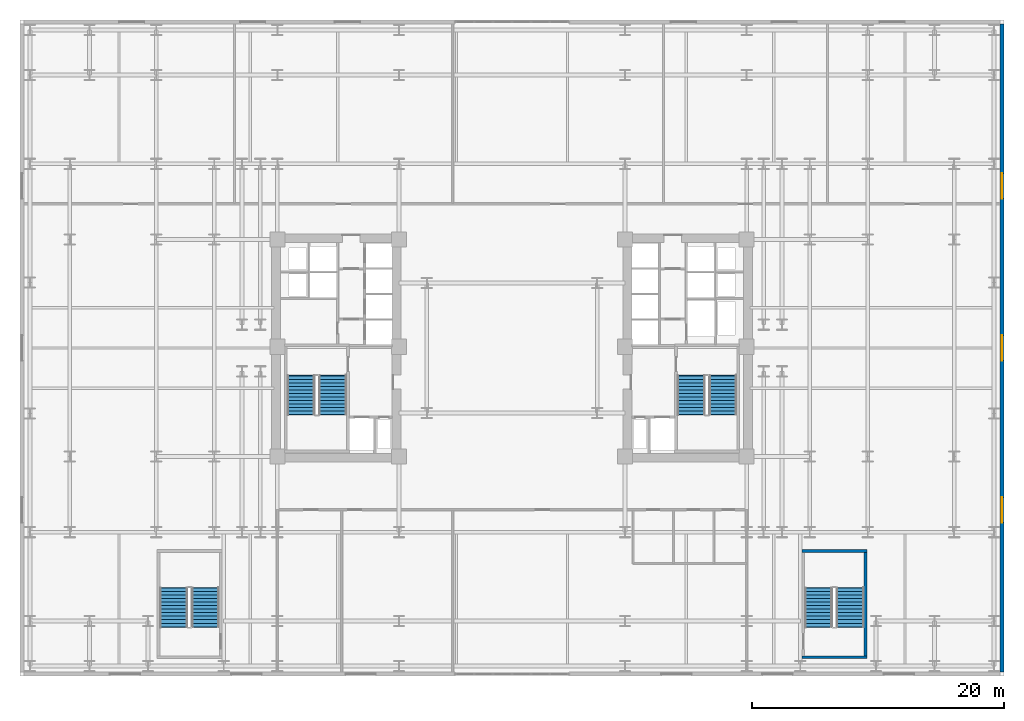
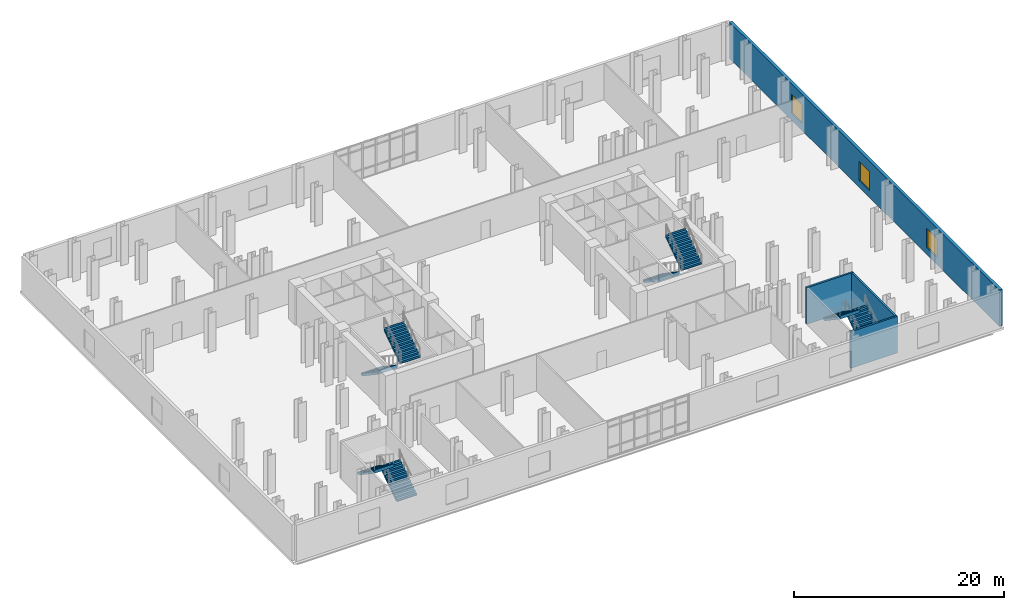
# One storey, part 11 of 13: 8 stair flights, 4 walls, 3 windows, 3 openings, 4 elements without a shape of their own.
"""IFC4 building model written with IfcOpenShell, lengths in metres."""

from ifc_helpers import new_model, si_unit, direction, frame, frame_2d, origin, place, context, subcontext, project, spatial, polyline, rectangle, outline, extrude, material, layer, layer_set, type_object, element, fill, aggregate, save


model = new_model("IFC4")

# Units and contexts
model_context = context("Model", 3, precision=1e-05, world=origin(), true_north=direction((0.0, 1.0)))
body_context = subcontext(model_context, "Body", "Model", "MODEL_VIEW")
ifc_project = project(units=[si_unit("LENGTHUNIT", "METRE"), si_unit("AREAUNIT", "SQUARE_METRE"), si_unit("VOLUMEUNIT", "CUBIC_METRE"), si_unit("PLANEANGLEUNIT", "RADIAN"), si_unit("MASSUNIT", "GRAM", prefix="KILO")], contexts=[model_context])

# Site, building, storey
site_placement = place(None, origin())
site = spatial("IfcSite", under=ifc_project, at=site_placement, CompositionType="ELEMENT")
building_placement = place(site_placement, origin())
building = spatial("IfcBuilding", under=site, at=building_placement, Name="Velakula Bourse", CompositionType="ELEMENT")
storey_placement = place(building_placement, frame((0.0, 0.0, 9.60009765625)))
storey = spatial("IfcBuildingStorey", under=building, at=storey_placement, Name="L02", CompositionType="ELEMENT", Elevation=9.60009765625)

# Walls
ifc_material_1 = material(Name="Concrete M50 (fck 50 MPa)", Category="concrete")
ifc_layer_1 = layer(ifc_material_1, 0.2099609375, Name="Concrete M50 (fck 50 MPa)", Category="concrete")
ifc_layer_set_1 = layer_set([ifc_layer_1], Name="Concrete M50 (fck 50 MPa)")
wall_type_1 = type_object("IfcWallType", Name="WL-CORE-210", PredefinedType="SHEAR", material=ifc_layer_set_1)
for number, where, z_axis, x_axis, name in (
    (1, (22.989990234375, -24.5048828125, 0.0), (0.0, 0.0, 1.0), (1.0, 0.0, 0.0), "L02 Podium Stair ST-P2 Shear Wall S"),
    (2, (22.989990234375, -16.094970703125, 0.0), (0.0, 0.0, 1.0), (1.0, 0.0, 0.0), "L02 Podium Stair ST-P2 Shear Wall N"),
):
    element("IfcWall", number, at=place(storey_placement, frame(where, z_axis=z_axis, x_axis=x_axis)), inside=storey, type_object=wall_type_1, Name=name, PredefinedType="SHEAR", context=body_context, shape_type="SweptSolid", body=[
        extrude(rectangle(XDim=5.139892578125, YDim=0.2099609375, at=frame_2d((2.56982421875, 0.0))), origin(), (0.0, 0.0, 1.0), 4.25),
    ])
wall_1_placement = place(storey_placement, frame((28.02490234375, -24.39990234375, 0.0), z_axis=(0.0, 0.0, 1.0), x_axis=(0.0, 1.0, 0.0)))
element("IfcWall", 3, at=wall_1_placement, inside=storey, type_object=wall_type_1, Name="L02 Podium Stair ST-P2 Shear Wall E", PredefinedType="SHEAR", context=body_context, shape_type="SweptSolid", body=[
    extrude(rectangle(XDim=8.199951171875, YDim=0.2099609375, at=frame_2d((4.10009765625, 0.0))), origin(), (0.0, 0.0, 1.0), 4.25),
])

# Wall, openings, windows
ifc_material_2 = material(Name="Red kilned clay facing brick masonry", Category="masonry")
ifc_layer_2 = layer(ifc_material_2, 0.320068359375, Name="Red kilned clay facing brick masonry", Category="masonry")
ifc_layer_set_2 = layer_set([ifc_layer_2], Name="Red kilned clay facing brick masonry")
wall_type_2 = type_object("IfcWallType", Name="WL-EXT-BRK-320", PredefinedType="STANDARD", material=ifc_layer_set_2)
wall_2_placement = place(storey_placement, frame((38.840087890625, 25.679931640625, 0.0), z_axis=(0.0, 0.0, 1.0), x_axis=(0.0, -1.0, 0.0)))
wall_2 = element("IfcWall", 4, at=wall_2_placement, inside=storey, type_object=wall_type_2, Name="L02 E Brick Facade Wall", PredefinedType="STANDARD", context=body_context, shape_type="SweptSolid", body=[
    extrude(rectangle(XDim=51.35986328125, YDim=0.320068359375, at=frame_2d((25.679931640625, 0.0))), origin(), (0.0, 0.0, 1.0), 4.22998046875),
])
opening_1_placement = place(wall_2_placement, frame((11.840087890625, 0.0, 0.800048828125)))
opening_1 = element("IfcOpeningElement", 5, at=opening_1_placement, cuts=wall_2, Name="Opening W-07", PredefinedType="OPENING", context=body_context, shape_type="SweptSolid", body=[
    extrude(rectangle(XDim=2.0, YDim=2.199951171875, at=frame_2d((1.0, 1.10009765625))), frame((0.0, 0.169921875, 0.0), z_axis=(0.0, -1.0, 0.0), x_axis=(1.0, 0.0, 0.0)), (0.0, 0.0, 1.0), 0.340087890625),
])
opening_2_placement = place(wall_2_placement, frame((24.679931640625, 0.0, 0.800048828125)))
opening_2 = element("IfcOpeningElement", 6, at=opening_2_placement, cuts=wall_2, Name="Opening W-07", PredefinedType="OPENING", context=body_context, shape_type="SweptSolid", body=[
    extrude(rectangle(XDim=2.0, YDim=2.199951171875, at=frame_2d((1.0, 1.10009765625))), frame((0.0, 0.169921875, 0.0), z_axis=(0.0, -1.0, 0.0), x_axis=(1.0, 0.0, 0.0)), (0.0, 0.0, 1.0), 0.340087890625),
])
opening_3_placement = place(wall_2_placement, frame((37.52001953125, 0.0, 0.800048828125)))
opening_3 = element("IfcOpeningElement", 7, at=opening_3_placement, cuts=wall_2, Name="Opening W-07", PredefinedType="OPENING", context=body_context, shape_type="SweptSolid", body=[
    extrude(rectangle(XDim=2.0, YDim=2.199951171875, at=frame_2d((1.0, 1.10009765625))), frame((0.0, 0.169921875, 0.0), z_axis=(0.0, -1.0, 0.0), x_axis=(1.0, 0.0, 0.0)), (0.0, 0.0, 1.0), 0.340087890625),
])
ifc_material_3 = material(Name="Double-glazed solar-control Low-E glass", Category="glass")
window_type = type_object("IfcWindowType", Name="WIN-POD-2000x2400", PartitioningType="DOUBLE_PANEL_VERTICAL", PredefinedType="WINDOW", material=ifc_material_3)
window_1_placement = place(opening_1_placement, origin())
window_1 = element("IfcWindow", 8, at=window_1_placement, inside=storey, type_object=window_type, Name="L02 Deep-Set Recessed Window 1", OverallHeight=2.199951171875, OverallWidth=2.0, PartitioningType="DOUBLE_PANEL_VERTICAL", PredefinedType="WINDOW", context=body_context, shape_type="SweptSolid", body=[
    extrude(rectangle(XDim=2.0, YDim=2.199951171875, at=frame_2d((1.0, 1.10009765625))), frame((0.0, 0.030029296875, 0.0), z_axis=(0.0, -1.0, 0.0), x_axis=(1.0, 0.0, 0.0)), (0.0, 0.0, 1.0), 0.06005859375),
])
fill(opening_1, window_1)
window_2_placement = place(opening_2_placement, origin())
window_2 = element("IfcWindow", 9, at=window_2_placement, inside=storey, type_object=window_type, Name="L02 Deep-Set Recessed Window 2", OverallHeight=2.199951171875, OverallWidth=2.0, PartitioningType="DOUBLE_PANEL_VERTICAL", PredefinedType="WINDOW", context=body_context, shape_type="SweptSolid", body=[
    extrude(rectangle(XDim=2.0, YDim=2.199951171875, at=frame_2d((1.0, 1.10009765625))), frame((0.0, 0.030029296875, 0.0), z_axis=(0.0, -1.0, 0.0), x_axis=(1.0, 0.0, 0.0)), (0.0, 0.0, 1.0), 0.06005859375),
])
fill(opening_2, window_2)
window_3_placement = place(opening_3_placement, origin())
window_3 = element("IfcWindow", 10, at=window_3_placement, inside=storey, type_object=window_type, Name="L02 Deep-Set Recessed Window 3", OverallHeight=2.199951171875, OverallWidth=2.0, PartitioningType="DOUBLE_PANEL_VERTICAL", PredefinedType="WINDOW", context=body_context, shape_type="SweptSolid", body=[
    extrude(rectangle(XDim=2.0, YDim=2.199951171875, at=frame_2d((1.0, 1.10009765625))), frame((0.0, 0.030029296875, 0.0), z_axis=(0.0, -1.0, 0.0), x_axis=(1.0, 0.0, 0.0)), (0.0, 0.0, 1.0), 0.06005859375),
])
fill(opening_3, window_3)

# Stair, stair flights
ifc_material_4 = material(Name="Concrete M45 (fck 45 MPa)", Category="concrete")
stair_type = type_object("IfcStairType", Name="STR-DOG-435", PredefinedType="HALF_TURN_STAIR", material=ifc_material_4)
stair_1_placement = place(storey_placement, origin())
stair_1 = element("IfcStair", 11, at=stair_1_placement, inside=storey, type_object=stair_type, Name="L02 West Core Exit Stair ST-W1", PredefinedType="HALF_TURN_STAIR")
ifc_layer_3 = layer(ifc_material_4, 0.199951171875, Name="Concrete M45 (fck 45 MPa)", Category="concrete")
ifc_layer_set_3 = layer_set([ifc_layer_3], Name="Concrete M45 (fck 45 MPa)")
stair_flight_type = type_object("IfcStairFlightType", Name="FLT-DOG-435", PredefinedType="STRAIGHT", material=ifc_layer_set_3)
stair_flight_1_placement = place(storey_placement, frame((-16.720947265625, -2.199951171875, 0.0), z_axis=(0.0, 0.0, 1.0), x_axis=(0.0, -1.0, 0.0)))
stair_flight_1 = element("IfcStairFlight", 12, at=stair_flight_1_placement, type_object=stair_flight_type, Name="ST-W1 flight 1", NumberOfRisers=12, NumberOfTreads=11, PredefinedType="STRAIGHT", RiserHeight=0.1875, TreadLength=0.28, context=body_context, shape_type="SweptSolid", body=[
    extrude(outline(polyline([(-0.044921875, -0.0400390625), (-0.044921875, -0.036865234375), (-0.044921875, -0.033935546875), (-0.044921875, -0.03076171875), (-0.044921875, -0.027587890625), (-0.044921875, -0.024658203125), (-0.044921875, -0.021484375), (-0.044921875, -0.0185546875), (-0.044921875, -0.015380859375), (-0.044921875, -0.01220703125), (-0.044921875, -0.00927734375), (-0.044921875, -0.006103515625), (-0.044921875, -0.003173828125), (-0.044921875, 0.0), (0.0, 0.0), (0.0, 0.1875), (0.280029296875, 0.1875), (0.280029296875, 0.375), (0.56005859375, 0.375), (0.56005859375, 0.5625), (0.840087890625, 0.5625), (0.840087890625, 0.75), (1.1201171875, 0.75), (1.1201171875, 0.9375), (1.39990234375, 0.9375), (1.39990234375, 1.125), (1.679931640625, 1.125), (1.679931640625, 1.3125), (1.9599609375, 1.3125), (1.9599609375, 1.5), (2.239990234375, 1.5), (2.239990234375, 1.6875), (2.52001953125, 1.6875), (2.52001953125, 1.875), (2.800048828125, 1.875), (2.800048828125, 2.0625), (3.080078125, 2.0625), (3.080078125, 2.25), (3.125, 2.25), (3.125, 2.2236328125), (3.125, 2.197509765625), (3.125, 2.171142578125), (3.125, 2.144775390625), (3.125, 2.11865234375), (3.125, 2.09228515625), (3.125, 2.066162109375), (3.125, 2.039794921875), (3.125, 2.013427734375), (3.125, 1.9873046875), (3.125, 1.9609375), (3.125, 1.9345703125), (3.125, 1.908447265625), (3.125, 1.882080078125), (0.26953125, -0.0400390625), (-0.044921875, -0.0400390625)])), frame((0.0, 1.09912109375, 0.0), z_axis=(0.0, -1.0, 0.0), x_axis=(1.0, 0.0, 0.0)), (0.0, 0.0, 1.0), 2.197998046875),
])
stair_flight_2_placement = place(storey_placement, frame((-14.198974609375, -5.280029296875, 2.25), z_axis=(0.0, 0.0, 1.0), x_axis=(0.0, 1.0, 0.0)))
stair_flight_2 = element("IfcStairFlight", 13, at=stair_flight_2_placement, type_object=stair_flight_type, Name="ST-W1 flight 2", NumberOfRisers=12, NumberOfTreads=11, PredefinedType="STRAIGHT", RiserHeight=0.1875, TreadLength=0.28, context=body_context, shape_type="SweptSolid", body=[
    extrude(outline(polyline([(-0.044921875, -0.0400390625), (-0.044921875, -0.036865234375), (-0.044921875, -0.033935546875), (-0.044921875, -0.03076171875), (-0.044921875, -0.027587890625), (-0.044921875, -0.024658203125), (-0.044921875, -0.021484375), (-0.044921875, -0.0185546875), (-0.044921875, -0.015380859375), (-0.044921875, -0.01220703125), (-0.044921875, -0.00927734375), (-0.044921875, -0.006103515625), (-0.044921875, -0.003173828125), (-0.044921875, 0.0), (0.0, 0.0), (0.0, 0.1875), (0.280029296875, 0.1875), (0.280029296875, 0.375), (0.56005859375, 0.375), (0.56005859375, 0.5625), (0.840087890625, 0.5625), (0.840087890625, 0.75), (1.1201171875, 0.75), (1.1201171875, 0.9375), (1.39990234375, 0.9375), (1.39990234375, 1.125), (1.679931640625, 1.125), (1.679931640625, 1.3125), (1.9599609375, 1.3125), (1.9599609375, 1.5), (2.239990234375, 1.5), (2.239990234375, 1.6875), (2.52001953125, 1.6875), (2.52001953125, 1.875), (2.800048828125, 1.875), (2.800048828125, 2.0625), (3.080078125, 2.0625), (3.080078125, 2.25), (3.125, 2.25), (3.125, 2.2236328125), (3.125, 2.197509765625), (3.125, 2.171142578125), (3.125, 2.144775390625), (3.125, 2.11865234375), (3.125, 2.09228515625), (3.125, 2.066162109375), (3.125, 2.039794921875), (3.125, 2.013427734375), (3.125, 1.9873046875), (3.125, 1.9609375), (3.125, 1.9345703125), (3.125, 1.908447265625), (3.125, 1.882080078125), (0.26953125, -0.0400390625), (-0.044921875, -0.0400390625)])), frame((0.0, 1.09912109375, 0.0), z_axis=(0.0, -1.0, 0.0), x_axis=(1.0, 0.0, 0.0)), (0.0, 0.0, 1.0), 2.197998046875),
])
aggregate(stair_1, [stair_flight_1, stair_flight_2])

stair_2_placement = place(storey_placement, origin())
stair_2 = element("IfcStair", 14, at=stair_2_placement, inside=storey, type_object=stair_type, Name="L02 East Core Exit Stair ST-E1", PredefinedType="HALF_TURN_STAIR")
stair_flight_3_placement = place(storey_placement, frame((14.198974609375, -2.199951171875, 0.0), z_axis=(0.0, 0.0, 1.0), x_axis=(0.0, -1.0, 0.0)))
stair_flight_3 = element("IfcStairFlight", 15, at=stair_flight_3_placement, type_object=stair_flight_type, Name="ST-E1 flight 1", NumberOfRisers=12, NumberOfTreads=11, PredefinedType="STRAIGHT", RiserHeight=0.1875, TreadLength=0.28, context=body_context, shape_type="SweptSolid", body=[
    extrude(outline(polyline([(-0.044921875, -0.0400390625), (-0.044921875, -0.036865234375), (-0.044921875, -0.033935546875), (-0.044921875, -0.03076171875), (-0.044921875, -0.027587890625), (-0.044921875, -0.024658203125), (-0.044921875, -0.021484375), (-0.044921875, -0.0185546875), (-0.044921875, -0.015380859375), (-0.044921875, -0.01220703125), (-0.044921875, -0.00927734375), (-0.044921875, -0.006103515625), (-0.044921875, -0.003173828125), (-0.044921875, 0.0), (0.0, 0.0), (0.0, 0.1875), (0.280029296875, 0.1875), (0.280029296875, 0.375), (0.56005859375, 0.375), (0.56005859375, 0.5625), (0.840087890625, 0.5625), (0.840087890625, 0.75), (1.1201171875, 0.75), (1.1201171875, 0.9375), (1.39990234375, 0.9375), (1.39990234375, 1.125), (1.679931640625, 1.125), (1.679931640625, 1.3125), (1.9599609375, 1.3125), (1.9599609375, 1.5), (2.239990234375, 1.5), (2.239990234375, 1.6875), (2.52001953125, 1.6875), (2.52001953125, 1.875), (2.800048828125, 1.875), (2.800048828125, 2.0625), (3.080078125, 2.0625), (3.080078125, 2.25), (3.125, 2.25), (3.125, 2.2236328125), (3.125, 2.197509765625), (3.125, 2.171142578125), (3.125, 2.144775390625), (3.125, 2.11865234375), (3.125, 2.09228515625), (3.125, 2.066162109375), (3.125, 2.039794921875), (3.125, 2.013427734375), (3.125, 1.9873046875), (3.125, 1.9609375), (3.125, 1.9345703125), (3.125, 1.908447265625), (3.125, 1.882080078125), (0.26953125, -0.0400390625), (-0.044921875, -0.0400390625)])), frame((0.0, 1.09912109375, 0.0), z_axis=(0.0, -1.0, 0.0), x_axis=(1.0, 0.0, 0.0)), (0.0, 0.0, 1.0), 2.197998046875),
])
stair_flight_4_placement = place(storey_placement, frame((16.720947265625, -5.280029296875, 2.25), z_axis=(0.0, 0.0, 1.0), x_axis=(0.0, 1.0, 0.0)))
stair_flight_4 = element("IfcStairFlight", 16, at=stair_flight_4_placement, type_object=stair_flight_type, Name="ST-E1 flight 2", NumberOfRisers=12, NumberOfTreads=11, PredefinedType="STRAIGHT", RiserHeight=0.1875, TreadLength=0.28, context=body_context, shape_type="SweptSolid", body=[
    extrude(outline(polyline([(-0.044921875, -0.0400390625), (-0.044921875, -0.036865234375), (-0.044921875, -0.033935546875), (-0.044921875, -0.03076171875), (-0.044921875, -0.027587890625), (-0.044921875, -0.024658203125), (-0.044921875, -0.021484375), (-0.044921875, -0.0185546875), (-0.044921875, -0.015380859375), (-0.044921875, -0.01220703125), (-0.044921875, -0.00927734375), (-0.044921875, -0.006103515625), (-0.044921875, -0.003173828125), (-0.044921875, 0.0), (0.0, 0.0), (0.0, 0.1875), (0.280029296875, 0.1875), (0.280029296875, 0.375), (0.56005859375, 0.375), (0.56005859375, 0.5625), (0.840087890625, 0.5625), (0.840087890625, 0.75), (1.1201171875, 0.75), (1.1201171875, 0.9375), (1.39990234375, 0.9375), (1.39990234375, 1.125), (1.679931640625, 1.125), (1.679931640625, 1.3125), (1.9599609375, 1.3125), (1.9599609375, 1.5), (2.239990234375, 1.5), (2.239990234375, 1.6875), (2.52001953125, 1.6875), (2.52001953125, 1.875), (2.800048828125, 1.875), (2.800048828125, 2.0625), (3.080078125, 2.0625), (3.080078125, 2.25), (3.125, 2.25), (3.125, 2.2236328125), (3.125, 2.197509765625), (3.125, 2.171142578125), (3.125, 2.144775390625), (3.125, 2.11865234375), (3.125, 2.09228515625), (3.125, 2.066162109375), (3.125, 2.039794921875), (3.125, 2.013427734375), (3.125, 1.9873046875), (3.125, 1.9609375), (3.125, 1.9345703125), (3.125, 1.908447265625), (3.125, 1.882080078125), (0.26953125, -0.0400390625), (-0.044921875, -0.0400390625)])), frame((0.0, 1.09912109375, 0.0), z_axis=(0.0, -1.0, 0.0), x_axis=(1.0, 0.0, 0.0)), (0.0, 0.0, 1.0), 2.197998046875),
])
aggregate(stair_2, [stair_flight_3, stair_flight_4])

stair_3_placement = place(storey_placement, origin())
stair_3 = element("IfcStair", 17, at=stair_3_placement, inside=storey, type_object=stair_type, Name="L02 West Podium Exit Stair ST-P1", PredefinedType="HALF_TURN_STAIR")
stair_flight_5_placement = place(storey_placement, frame((-24.299072265625, -22.10009765625, 0.0), z_axis=(0.0, 0.0, 1.0), x_axis=(0.0, 1.0, 0.0)))
stair_flight_5 = element("IfcStairFlight", 18, at=stair_flight_5_placement, type_object=stair_flight_type, Name="ST-P1 flight 1", NumberOfRisers=12, NumberOfTreads=11, PredefinedType="STRAIGHT", RiserHeight=0.1875, TreadLength=0.28, context=body_context, shape_type="SweptSolid", body=[
    extrude(outline(polyline([(-0.044921875, -0.0400390625), (-0.044921875, -0.036865234375), (-0.044921875, -0.033935546875), (-0.044921875, -0.03076171875), (-0.044921875, -0.027587890625), (-0.044921875, -0.024658203125), (-0.044921875, -0.021484375), (-0.044921875, -0.0185546875), (-0.044921875, -0.015380859375), (-0.044921875, -0.01220703125), (-0.044921875, -0.00927734375), (-0.044921875, -0.006103515625), (-0.044921875, -0.003173828125), (-0.044921875, 0.0), (0.0, 0.0), (0.0, 0.1875), (0.280029296875, 0.1875), (0.280029296875, 0.375), (0.56005859375, 0.375), (0.56005859375, 0.5625), (0.840087890625, 0.5625), (0.840087890625, 0.75), (1.1201171875, 0.75), (1.1201171875, 0.9375), (1.39990234375, 0.9375), (1.39990234375, 1.125), (1.679931640625, 1.125), (1.679931640625, 1.3125), (1.9599609375, 1.3125), (1.9599609375, 1.5), (2.239990234375, 1.5), (2.239990234375, 1.6875), (2.52001953125, 1.6875), (2.52001953125, 1.875), (2.800048828125, 1.875), (2.800048828125, 2.0625), (3.080078125, 2.0625), (3.080078125, 2.25), (3.125, 2.25), (3.125, 2.2236328125), (3.125, 2.197509765625), (3.125, 2.171142578125), (3.125, 2.144775390625), (3.125, 2.11865234375), (3.125, 2.09228515625), (3.125, 2.066162109375), (3.125, 2.039794921875), (3.125, 2.013427734375), (3.125, 1.9873046875), (3.125, 1.9609375), (3.125, 1.9345703125), (3.125, 1.908447265625), (3.125, 1.882080078125), (0.26953125, -0.0400390625), (-0.044921875, -0.0400390625)])), frame((0.0, 1.09912109375, 0.0), z_axis=(0.0, -1.0, 0.0), x_axis=(1.0, 0.0, 0.0)), (0.0, 0.0, 1.0), 2.197998046875),
])
stair_flight_6_placement = place(storey_placement, frame((-26.821044921875, -19.02001953125, 2.25), z_axis=(0.0, 0.0, 1.0), x_axis=(0.0, -1.0, 0.0)))
stair_flight_6 = element("IfcStairFlight", 19, at=stair_flight_6_placement, type_object=stair_flight_type, Name="ST-P1 flight 2", NumberOfRisers=12, NumberOfTreads=11, PredefinedType="STRAIGHT", RiserHeight=0.1875, TreadLength=0.28, context=body_context, shape_type="SweptSolid", body=[
    extrude(outline(polyline([(-0.044921875, -0.0400390625), (-0.044921875, -0.036865234375), (-0.044921875, -0.033935546875), (-0.044921875, -0.03076171875), (-0.044921875, -0.027587890625), (-0.044921875, -0.024658203125), (-0.044921875, -0.021484375), (-0.044921875, -0.0185546875), (-0.044921875, -0.015380859375), (-0.044921875, -0.01220703125), (-0.044921875, -0.00927734375), (-0.044921875, -0.006103515625), (-0.044921875, -0.003173828125), (-0.044921875, 0.0), (0.0, 0.0), (0.0, 0.1875), (0.280029296875, 0.1875), (0.280029296875, 0.375), (0.56005859375, 0.375), (0.56005859375, 0.5625), (0.840087890625, 0.5625), (0.840087890625, 0.75), (1.1201171875, 0.75), (1.1201171875, 0.9375), (1.39990234375, 0.9375), (1.39990234375, 1.125), (1.679931640625, 1.125), (1.679931640625, 1.3125), (1.9599609375, 1.3125), (1.9599609375, 1.5), (2.239990234375, 1.5), (2.239990234375, 1.6875), (2.52001953125, 1.6875), (2.52001953125, 1.875), (2.800048828125, 1.875), (2.800048828125, 2.0625), (3.080078125, 2.0625), (3.080078125, 2.25), (3.125, 2.25), (3.125, 2.2236328125), (3.125, 2.197509765625), (3.125, 2.171142578125), (3.125, 2.144775390625), (3.125, 2.11865234375), (3.125, 2.09228515625), (3.125, 2.066162109375), (3.125, 2.039794921875), (3.125, 2.013427734375), (3.125, 1.9873046875), (3.125, 1.9609375), (3.125, 1.9345703125), (3.125, 1.908447265625), (3.125, 1.882080078125), (0.26953125, -0.0400390625), (-0.044921875, -0.0400390625)])), frame((0.0, 1.09912109375, 0.0), z_axis=(0.0, -1.0, 0.0), x_axis=(1.0, 0.0, 0.0)), (0.0, 0.0, 1.0), 2.197998046875),
])
aggregate(stair_3, [stair_flight_5, stair_flight_6])

stair_4_placement = place(storey_placement, origin())
stair_4 = element("IfcStair", 20, at=stair_4_placement, inside=storey, type_object=stair_type, Name="L02 East Podium Exit Stair ST-P2", PredefinedType="HALF_TURN_STAIR")
stair_flight_7_placement = place(storey_placement, frame((26.821044921875, -22.10009765625, 0.0), z_axis=(0.0, 0.0, 1.0), x_axis=(0.0, 1.0, 0.0)))
stair_flight_7 = element("IfcStairFlight", 21, at=stair_flight_7_placement, type_object=stair_flight_type, Name="ST-P2 flight 1", NumberOfRisers=12, NumberOfTreads=11, PredefinedType="STRAIGHT", RiserHeight=0.1875, TreadLength=0.28, context=body_context, shape_type="SweptSolid", body=[
    extrude(outline(polyline([(-0.044921875, -0.0400390625), (-0.044921875, -0.036865234375), (-0.044921875, -0.033935546875), (-0.044921875, -0.03076171875), (-0.044921875, -0.027587890625), (-0.044921875, -0.024658203125), (-0.044921875, -0.021484375), (-0.044921875, -0.0185546875), (-0.044921875, -0.015380859375), (-0.044921875, -0.01220703125), (-0.044921875, -0.00927734375), (-0.044921875, -0.006103515625), (-0.044921875, -0.003173828125), (-0.044921875, 0.0), (0.0, 0.0), (0.0, 0.1875), (0.280029296875, 0.1875), (0.280029296875, 0.375), (0.56005859375, 0.375), (0.56005859375, 0.5625), (0.840087890625, 0.5625), (0.840087890625, 0.75), (1.1201171875, 0.75), (1.1201171875, 0.9375), (1.39990234375, 0.9375), (1.39990234375, 1.125), (1.679931640625, 1.125), (1.679931640625, 1.3125), (1.9599609375, 1.3125), (1.9599609375, 1.5), (2.239990234375, 1.5), (2.239990234375, 1.6875), (2.52001953125, 1.6875), (2.52001953125, 1.875), (2.800048828125, 1.875), (2.800048828125, 2.0625), (3.080078125, 2.0625), (3.080078125, 2.25), (3.125, 2.25), (3.125, 2.2236328125), (3.125, 2.197509765625), (3.125, 2.171142578125), (3.125, 2.144775390625), (3.125, 2.11865234375), (3.125, 2.09228515625), (3.125, 2.066162109375), (3.125, 2.039794921875), (3.125, 2.013427734375), (3.125, 1.9873046875), (3.125, 1.9609375), (3.125, 1.9345703125), (3.125, 1.908447265625), (3.125, 1.882080078125), (0.26953125, -0.0400390625), (-0.044921875, -0.0400390625)])), frame((0.0, 1.09912109375, 0.0), z_axis=(0.0, -1.0, 0.0), x_axis=(1.0, 0.0, 0.0)), (0.0, 0.0, 1.0), 2.197998046875),
])
stair_flight_8_placement = place(storey_placement, frame((24.299072265625, -19.02001953125, 2.25), z_axis=(0.0, 0.0, 1.0), x_axis=(0.0, -1.0, 0.0)))
stair_flight_8 = element("IfcStairFlight", 22, at=stair_flight_8_placement, type_object=stair_flight_type, Name="ST-P2 flight 2", NumberOfRisers=12, NumberOfTreads=11, PredefinedType="STRAIGHT", RiserHeight=0.1875, TreadLength=0.28, context=body_context, shape_type="SweptSolid", body=[
    extrude(outline(polyline([(-0.044921875, -0.0400390625), (-0.044921875, -0.036865234375), (-0.044921875, -0.033935546875), (-0.044921875, -0.03076171875), (-0.044921875, -0.027587890625), (-0.044921875, -0.024658203125), (-0.044921875, -0.021484375), (-0.044921875, -0.0185546875), (-0.044921875, -0.015380859375), (-0.044921875, -0.01220703125), (-0.044921875, -0.00927734375), (-0.044921875, -0.006103515625), (-0.044921875, -0.003173828125), (-0.044921875, 0.0), (0.0, 0.0), (0.0, 0.1875), (0.280029296875, 0.1875), (0.280029296875, 0.375), (0.56005859375, 0.375), (0.56005859375, 0.5625), (0.840087890625, 0.5625), (0.840087890625, 0.75), (1.1201171875, 0.75), (1.1201171875, 0.9375), (1.39990234375, 0.9375), (1.39990234375, 1.125), (1.679931640625, 1.125), (1.679931640625, 1.3125), (1.9599609375, 1.3125), (1.9599609375, 1.5), (2.239990234375, 1.5), (2.239990234375, 1.6875), (2.52001953125, 1.6875), (2.52001953125, 1.875), (2.800048828125, 1.875), (2.800048828125, 2.0625), (3.080078125, 2.0625), (3.080078125, 2.25), (3.125, 2.25), (3.125, 2.2236328125), (3.125, 2.197509765625), (3.125, 2.171142578125), (3.125, 2.144775390625), (3.125, 2.11865234375), (3.125, 2.09228515625), (3.125, 2.066162109375), (3.125, 2.039794921875), (3.125, 2.013427734375), (3.125, 1.9873046875), (3.125, 1.9609375), (3.125, 1.9345703125), (3.125, 1.908447265625), (3.125, 1.882080078125), (0.26953125, -0.0400390625), (-0.044921875, -0.0400390625)])), frame((0.0, 1.09912109375, 0.0), z_axis=(0.0, -1.0, 0.0), x_axis=(1.0, 0.0, 0.0)), (0.0, 0.0, 1.0), 2.197998046875),
])
aggregate(stair_4, [stair_flight_7, stair_flight_8])

save(model, "model.ifc")
